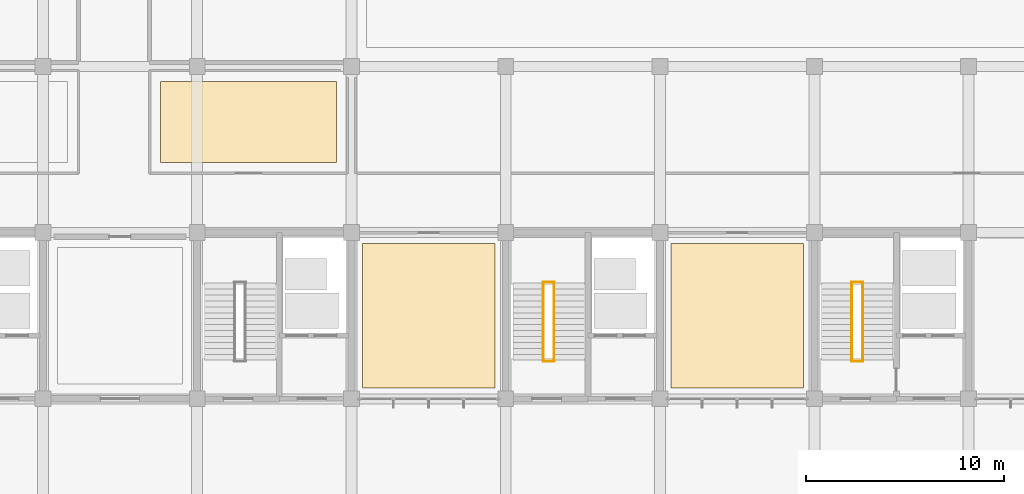
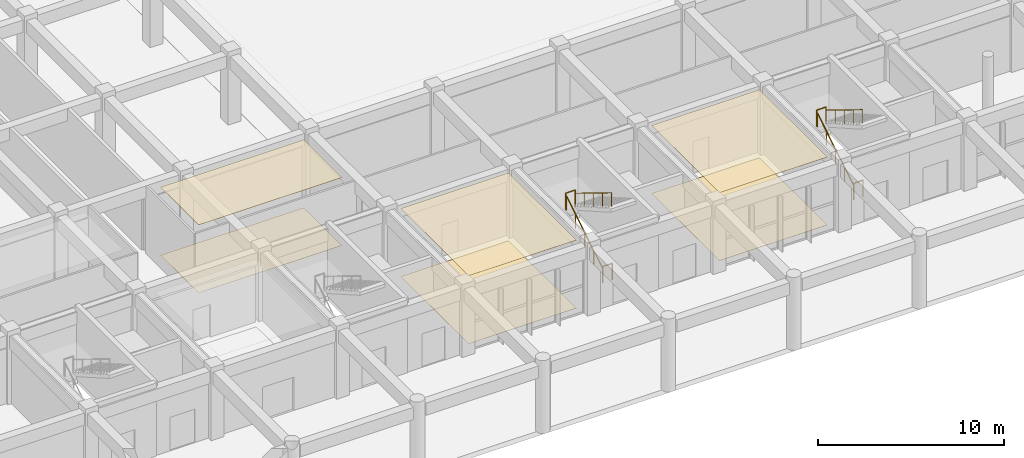
# One storey, part 135 of 139: 8 railings, 6 coverings.
"""IFC4 building model written with IfcOpenShell, lengths in metres."""

from ifc_helpers import new_model, si_unit, direction, frame, origin, origin_2d, place, context, subcontext, project, spatial, polyline, circle, hollow_circle, outline, extrude, material, layer, layer_set, material_profile, profile_set, type_object, element, save


model = new_model("IFC4")

# Units and contexts
model_context = context("Model", 3, precision=1e-05, world=origin(), true_north=direction((0.0, 1.0)))
body_context = subcontext(model_context, "Body", "Model", "MODEL_VIEW")
ifc_project = project(units=[si_unit("LENGTHUNIT", "METRE"), si_unit("AREAUNIT", "SQUARE_METRE"), si_unit("VOLUMEUNIT", "CUBIC_METRE"), si_unit("PLANEANGLEUNIT", "RADIAN"), si_unit("MASSUNIT", "GRAM", prefix="KILO")], contexts=[model_context])

# Site, building, storey
site_placement = place(None, origin())
site = spatial("IfcSite", under=ifc_project, at=site_placement, CompositionType="ELEMENT")
building_placement = place(site_placement, origin())
building = spatial("IfcBuilding", under=site, at=building_placement, Name="Zizhar Promenade General Hospital", CompositionType="ELEMENT")
storey_placement = place(building_placement, origin())
storey = spatial("IfcBuildingStorey", under=building, at=storey_placement, Name="L00", CompositionType="ELEMENT", Elevation=0.0)

# Coverings
ifc_material_1 = material(Name="Hygienic acoustic mineral ceiling tile")
ifc_layer_1 = layer(ifc_material_1, 0.02001953125)
ifc_layer_set_1 = layer_set([ifc_layer_1], Name="Hygienic acoustic mineral ceiling tile")
covering_type_1 = type_object("IfcCoveringType", Name="COV-CLG-ACOUST-20", PredefinedType="CEILING", material=ifc_layer_set_1)
covering_1_placement = place(storey_placement, frame((0.0, 0.0, 4.4599609375)))
element("IfcCovering", 1, at=covering_1_placement, inside=storey, type_object=covering_type_1, Name="Accessible Public Toilet L00 West Hygienic Ceiling", PredefinedType="CEILING", context=body_context, shape_type="SweptSolid", body=[
    extrude(outline(polyline([(70.75, 8.949951171875), (77.449951171875, 8.949951171875), (77.449951171875, 16.25), (70.75, 16.25), (70.75, 8.949951171875)])), origin(), (0.0, 0.0, 1.0), 0.02001953125),
])
covering_2_placement = place(storey_placement, frame((0.0, 0.0, 4.4599609375)))
element("IfcCovering", 2, at=covering_2_placement, inside=storey, type_object=covering_type_1, Name="Accessible Public Toilet L00 East Hygienic Ceiling", PredefinedType="CEILING", context=body_context, shape_type="SweptSolid", body=[
    extrude(outline(polyline([(86.35009765625, 8.949951171875), (93.050048828125, 8.949951171875), (93.050048828125, 16.25), (86.35009765625, 16.25), (86.35009765625, 8.949951171875)])), origin(), (0.0, 0.0, 1.0), 0.02001953125),
])
covering_3_placement = place(storey_placement, frame((0.0, 0.0, 4.4599609375)))
element("IfcCovering", 3, at=covering_3_placement, inside=storey, type_object=covering_type_1, Name="Radiopharmacy Dispensing Room Hygienic Ceiling", PredefinedType="CEILING", context=body_context, shape_type="SweptSolid", body=[
    extrude(outline(polyline([(60.550048828125, 20.35009765625), (69.449951171875, 20.35009765625), (69.449951171875, 24.449951171875), (60.550048828125, 24.449951171875), (60.550048828125, 20.35009765625)])), origin(), (0.0, 0.0, 1.0), 0.02001953125),
])
ifc_material_2 = material(Name="Seamless antimicrobial vinyl flooring")
ifc_layer_2 = layer(ifc_material_2, 0.008056640625)
ifc_layer_set_2 = layer_set([ifc_layer_2], Name="Seamless antimicrobial vinyl flooring")
covering_type_2 = type_object("IfcCoveringType", Name="COV-FLR-VINYL-08", PredefinedType="FLOORING", material=ifc_layer_set_2)
covering_4_placement = place(storey_placement, origin())
element("IfcCovering", 4, at=covering_4_placement, inside=storey, type_object=covering_type_2, Name="Accessible Public Toilet L00 West Clinical Flooring", PredefinedType="FLOORING", context=body_context, shape_type="SweptSolid", body=[
    extrude(outline(polyline([(70.75, 8.949951171875), (77.449951171875, 8.949951171875), (77.449951171875, 16.25), (70.75, 16.25), (70.75, 8.949951171875)])), origin(), (0.0, 0.0, 1.0), 0.008056640625),
])
covering_5_placement = place(storey_placement, origin())
element("IfcCovering", 5, at=covering_5_placement, inside=storey, type_object=covering_type_2, Name="Accessible Public Toilet L00 East Clinical Flooring", PredefinedType="FLOORING", context=body_context, shape_type="SweptSolid", body=[
    extrude(outline(polyline([(86.35009765625, 8.949951171875), (93.050048828125, 8.949951171875), (93.050048828125, 16.25), (86.35009765625, 16.25), (86.35009765625, 8.949951171875)])), origin(), (0.0, 0.0, 1.0), 0.008056640625),
])
covering_6_placement = place(storey_placement, origin())
element("IfcCovering", 6, at=covering_6_placement, inside=storey, type_object=covering_type_2, Name="Radiopharmacy Dispensing Room Clinical Flooring", PredefinedType="FLOORING", context=body_context, shape_type="SweptSolid", body=[
    extrude(outline(polyline([(60.550048828125, 20.35009765625), (69.449951171875, 20.35009765625), (69.449951171875, 24.449951171875), (60.550048828125, 24.449951171875), (60.550048828125, 20.35009765625)])), origin(), (0.0, 0.0, 1.0), 0.008056640625),
])

# Railings
ifc_material_3 = material(Name="Anodised aluminium 6063-T6", Category="aluminium")
ifc_material_profile_1 = material_profile(ifc_material_3, hollow_circle(Radius=0.06982421875, WallThickness=0.00634765625, at=origin_2d()))
ifc_profile_set_1 = profile_set([ifc_material_profile_1], Name="Anodised aluminium 6063-T6")
railing_type_1 = type_object("IfcRailingType", Name="RL-HANDRAIL-920", PredefinedType="HANDRAIL", material=ifc_profile_set_1)
railing_1_placement = place(storey_placement, frame((79.89990234375, 10.35009765625, 0.0)))
element("IfcRailing", 7, at=railing_1_placement, inside=storey, type_object=railing_type_1, Name="Stair ST-04 Flight 1 Handrail (L00)", PredefinedType="HANDRAIL", context=body_context, shape_type="SweptSolid", body=[
    extrude(circle(Radius=0.02392578125, at=origin_2d()), frame((0.0, 0.0, 0.89599609375), z_axis=(0.0, 0.851661977835, 0.524091476281), x_axis=(-1.0, 0.0, 0.0)), (0.0, 0.0, 1.0), 4.5791015625),
    extrude(circle(Radius=0.02099609375, at=origin_2d()), origin(), (0.0, 0.0, 1.0), 0.871826171875),
    extrude(circle(Radius=0.02099609375, at=origin_2d()), frame((0.0, 0.97509765625, 0.60009765625)), (0.0, 0.0, 1.0), 0.871826171875),
    extrude(circle(Radius=0.02099609375, at=origin_2d()), frame((0.0, 1.949951171875, 1.199951171875)), (0.0, 0.0, 1.0), 0.871826171875),
    extrude(circle(Radius=0.02099609375, at=origin_2d()), frame((0.0, 2.9248046875, 1.7998046875)), (0.0, 0.0, 1.0), 0.871826171875),
    extrude(circle(Radius=0.02099609375, at=origin_2d()), frame((0.0, 3.89990234375, 2.39990234375)), (0.0, 0.0, 1.0), 0.871826171875),
])
railing_2_placement = place(storey_placement, frame((80.43994140625, 14.25, 2.39990234375)))
element("IfcRailing", 8, at=railing_2_placement, inside=storey, type_object=railing_type_1, Name="Stair ST-04 Flight 2 Handrail (L00)", PredefinedType="HANDRAIL", context=body_context, shape_type="SweptSolid", body=[
    extrude(circle(Radius=0.02392578125, at=origin_2d()), frame((0.0, 0.0, 0.89599609375), z_axis=(0.0, -0.851638180308, 0.5241301459), x_axis=(1.0, 0.0, 0.0)), (0.0, 0.0, 1.0), 4.579345703125),
    extrude(circle(Radius=0.02099609375, at=origin_2d()), origin(), (0.0, 0.0, 1.0), 0.871826171875),
    extrude(circle(Radius=0.02099609375, at=origin_2d()), frame((0.0, -0.97509765625, 0.60009765625)), (0.0, 0.0, 1.0), 0.871826171875),
    extrude(circle(Radius=0.02099609375, at=origin_2d()), frame((0.0, -1.949951171875, 1.2001953125)), (0.0, 0.0, 1.0), 0.871826171875),
    extrude(circle(Radius=0.02099609375, at=origin_2d()), frame((0.0, -2.9248046875, 1.800048828125)), (0.0, 0.0, 1.0), 0.871826171875),
    extrude(circle(Radius=0.02099609375, at=origin_2d()), frame((0.0, -3.89990234375, 2.400146484375)), (0.0, 0.0, 1.0), 0.871826171875),
])
railing_3_placement = place(storey_placement, frame((95.5, 10.35009765625, 0.0)))
element("IfcRailing", 9, at=railing_3_placement, inside=storey, type_object=railing_type_1, Name="Stair ST-05 Flight 1 Handrail (L00)", PredefinedType="HANDRAIL", context=body_context, shape_type="SweptSolid", body=[
    extrude(circle(Radius=0.02392578125, at=origin_2d()), frame((0.0, 0.0, 0.89599609375), z_axis=(0.0, 0.851661977835, 0.524091476281), x_axis=(-1.0, 0.0, 0.0)), (0.0, 0.0, 1.0), 4.5791015625),
    extrude(circle(Radius=0.02099609375, at=origin_2d()), origin(), (0.0, 0.0, 1.0), 0.871826171875),
    extrude(circle(Radius=0.02099609375, at=origin_2d()), frame((0.0, 0.97509765625, 0.60009765625)), (0.0, 0.0, 1.0), 0.871826171875),
    extrude(circle(Radius=0.02099609375, at=origin_2d()), frame((0.0, 1.949951171875, 1.199951171875)), (0.0, 0.0, 1.0), 0.871826171875),
    extrude(circle(Radius=0.02099609375, at=origin_2d()), frame((0.0, 2.9248046875, 1.7998046875)), (0.0, 0.0, 1.0), 0.871826171875),
    extrude(circle(Radius=0.02099609375, at=origin_2d()), frame((0.0, 3.89990234375, 2.39990234375)), (0.0, 0.0, 1.0), 0.871826171875),
])
railing_4_placement = place(storey_placement, frame((96.0400390625, 14.25, 2.39990234375)))
element("IfcRailing", 10, at=railing_4_placement, inside=storey, type_object=railing_type_1, Name="Stair ST-05 Flight 2 Handrail (L00)", PredefinedType="HANDRAIL", context=body_context, shape_type="SweptSolid", body=[
    extrude(circle(Radius=0.02392578125, at=origin_2d()), frame((0.0, 0.0, 0.89599609375), z_axis=(0.0, -0.851638180308, 0.5241301459), x_axis=(1.0, 0.0, 0.0)), (0.0, 0.0, 1.0), 4.579345703125),
    extrude(circle(Radius=0.02099609375, at=origin_2d()), origin(), (0.0, 0.0, 1.0), 0.871826171875),
    extrude(circle(Radius=0.02099609375, at=origin_2d()), frame((0.0, -0.97509765625, 0.60009765625)), (0.0, 0.0, 1.0), 0.871826171875),
    extrude(circle(Radius=0.02099609375, at=origin_2d()), frame((0.0, -1.949951171875, 1.2001953125)), (0.0, 0.0, 1.0), 0.871826171875),
    extrude(circle(Radius=0.02099609375, at=origin_2d()), frame((0.0, -2.9248046875, 1.800048828125)), (0.0, 0.0, 1.0), 0.871826171875),
    extrude(circle(Radius=0.02099609375, at=origin_2d()), frame((0.0, -3.89990234375, 2.400146484375)), (0.0, 0.0, 1.0), 0.871826171875),
])
ifc_material_4 = material(Name="Steel S355", Category="steel")
ifc_material_profile_2 = material_profile(ifc_material_4, hollow_circle(Radius=0.06982421875, WallThickness=0.00634765625, at=origin_2d()))
ifc_profile_set_2 = profile_set([ifc_material_profile_2], Name="Steel S355")
railing_type_2 = type_object("IfcRailingType", Name="RL-STAIR-GUARD-1100", PredefinedType="GUARDRAIL", material=ifc_profile_set_2)
for number, where, name in (
    (11, (79.8798828125, 14.2900390625, 2.39990234375), "Stair ST-04 Half-Landing Guard (L00)"),
    (12, (79.8798828125, 10.31005859375, 0.0), "Stair ST-04 Landing Well Guard (L00)"),
    (13, (95.47998046875, 14.2900390625, 2.39990234375), "Stair ST-05 Half-Landing Guard (L00)"),
    (14, (95.47998046875, 10.31005859375, 0.0), "Stair ST-05 Landing Well Guard (L00)"),
):
    element("IfcRailing", number, at=place(storey_placement, frame(where)), inside=storey, type_object=railing_type_2, Name=name, PredefinedType="GUARDRAIL", context=body_context, shape_type="SweptSolid", body=[
        extrude(circle(Radius=0.02392578125, at=origin_2d()), frame((0.0, 0.0, 1.076171875), z_axis=(1.0, 0.0, 0.0), x_axis=(0.0, 1.0, 0.0)), (0.0, 0.0, 1.0), 0.580078125),
        extrude(circle(Radius=0.02099609375, at=origin_2d()), origin(), (0.0, 0.0, 1.0), 1.052001953125),
        extrude(circle(Radius=0.02099609375, at=origin_2d()), frame((0.580078125, 0.0, 0.0)), (0.0, 0.0, 1.0), 1.052001953125),
    ])

save(model, "model.ifc")
